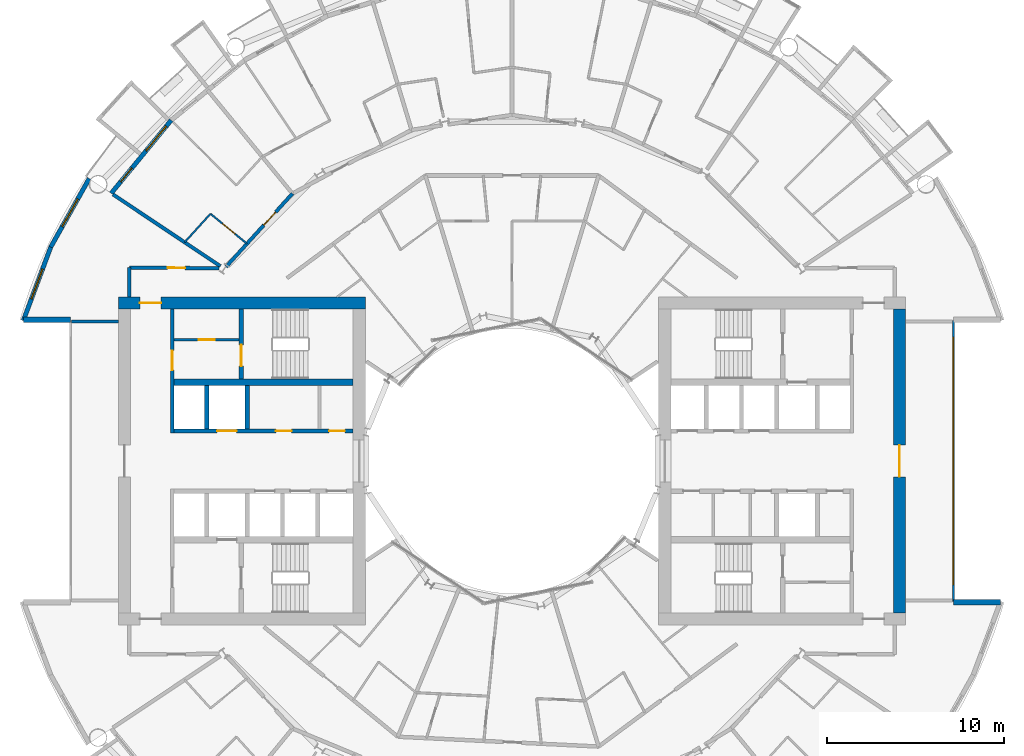
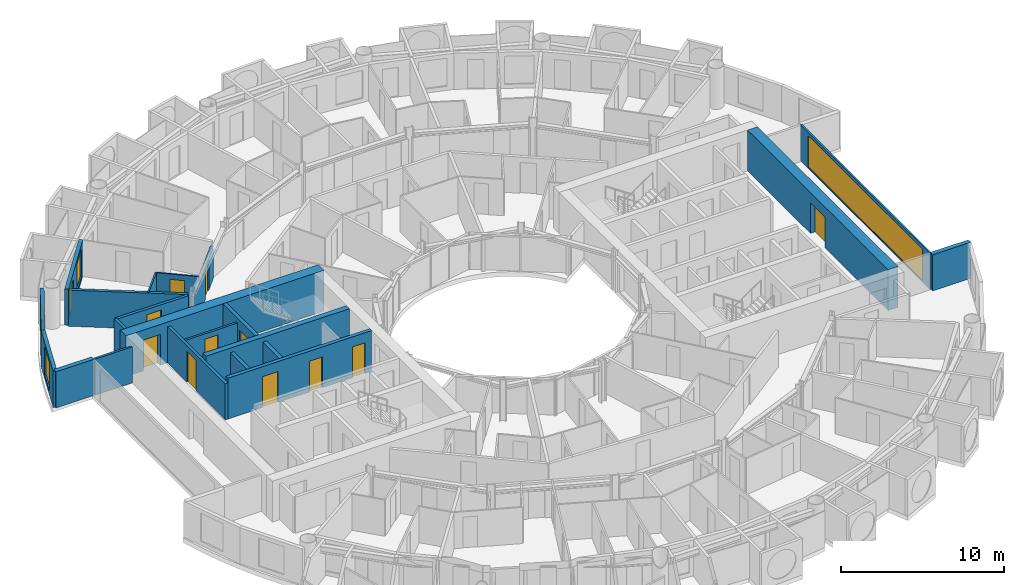
# One storey, part 18 of 26: 22 walls, 12 doors, 4 windows, 16 openings.
"""IFC4 building model written with IfcOpenShell, lengths in metres."""

from ifc_helpers import new_model, si_unit, direction, frame, frame_2d, origin, place, context, subcontext, project, spatial, rectangle, extrude, material, layer, layer_set, type_object, element, fill, save


model = new_model("IFC4")

# Units and contexts
model_context = context("Model", 3, precision=1e-05, world=origin(), true_north=direction((0.0, 1.0)))
body_context = subcontext(model_context, "Body", "Model", "MODEL_VIEW")
ifc_project = project(units=[si_unit("LENGTHUNIT", "METRE"), si_unit("AREAUNIT", "SQUARE_METRE"), si_unit("VOLUMEUNIT", "CUBIC_METRE"), si_unit("PLANEANGLEUNIT", "RADIAN"), si_unit("MASSUNIT", "GRAM", prefix="KILO")], contexts=[model_context])

# Site, building, storey
site_placement = place(None, origin())
site = spatial("IfcSite", under=ifc_project, at=site_placement, CompositionType="ELEMENT")
building_placement = place(site_placement, origin())
building = spatial("IfcBuilding", under=site, at=building_placement, Name="Maasbend Ring Residences", CompositionType="ELEMENT")
storey_placement = place(building_placement, frame((0.0, 0.0, 78.85009765625)))
storey = spatial("IfcBuildingStorey", under=building, at=storey_placement, Name="L22", CompositionType="ELEMENT", Elevation=78.85009765625)

# Wall, openings, doors
ifc_material_1 = material(Name="Concrete C70/85", Category="concrete")
ifc_layer_1 = layer(ifc_material_1, 0.25)
ifc_layer_set_1 = layer_set([ifc_layer_1], Name="Concrete C70/85")
wall_type_1 = type_object("IfcWallType", Name="CORE WALL 250 C70/85", PredefinedType="SHEAR", material=ifc_layer_set_1)
wall_1_placement = place(storey_placement, frame((-19.14990234375, 1.699951171875, 0.0), z_axis=(0.0, 0.0, 1.0), x_axis=(1.0, 0.0, 0.0)))
wall_1 = element("IfcWall", 1, at=wall_1_placement, inside=storey, type_object=wall_type_1, Name="L22 core W wall SPS", PredefinedType="SHEAR", context=body_context, shape_type="SweptSolid", body=[
    extrude(rectangle(XDim=10.14990234375, YDim=0.25, at=frame_2d((5.074951171875, 0.0))), origin(), (0.0, 0.0, 1.0), 3.0498046875),
])
opening_1_placement = place(wall_1_placement, frame((2.449951171875, 0.0, 0.0)))
opening_1 = element("IfcOpeningElement", 2, at=opening_1_placement, cuts=wall_1, Name="Opening LD-W2205", PredefinedType="OPENING", context=body_context, shape_type="SweptSolid", body=[
    extrude(rectangle(XDim=1.10009765625, YDim=2.300048828125, at=frame_2d((0.550048828125, 1.14990234375))), frame((0.0, 0.135009765625, 0.0), z_axis=(0.0, -1.0, 0.0), x_axis=(1.0, 0.0, 0.0)), (0.0, 0.0, 1.0), 0.27001953125),
])
opening_2_placement = place(wall_1_placement, frame((8.78759765625, 0.0, 0.0)))
opening_2 = element("IfcOpeningElement", 3, at=opening_2_placement, cuts=wall_1, Name="Opening D-W2206", PredefinedType="OPENING", context=body_context, shape_type="SweptSolid", body=[
    extrude(rectangle(XDim=0.89990234375, YDim=2.300048828125, at=frame_2d((0.449951171875, 1.14990234375))), frame((0.0, 0.135009765625, 0.0), z_axis=(0.0, -1.0, 0.0), x_axis=(1.0, 0.0, 0.0)), (0.0, 0.0, 1.0), 0.27001953125),
])
opening_3_placement = place(wall_1_placement, frame((5.77490234375, 0.0, 0.0)))
opening_3 = element("IfcOpeningElement", 4, at=opening_3_placement, cuts=wall_1, Name="Opening D-W2207", PredefinedType="OPENING", context=body_context, shape_type="SweptSolid", body=[
    extrude(rectangle(XDim=0.89990234375, YDim=2.300048828125, at=frame_2d((0.449951171875, 1.14990234375))), frame((0.0, 0.135009765625, 0.0), z_axis=(0.0, -1.0, 0.0), x_axis=(1.0, 0.0, 0.0)), (0.0, 0.0, 1.0), 0.27001953125),
])
ifc_material_2 = material(Name="Stainless steel 316", Category="steel")
door_type_1 = type_object("IfcDoorType", Name="LANDING DOOR 1100 X 2300 FD60", OperationType="DOUBLE_DOOR_SLIDING", PredefinedType="DOOR", material=ifc_material_2)
door_1_placement = place(opening_1_placement, origin())
door_1 = element("IfcDoor", 5, at=door_1_placement, inside=storey, type_object=door_type_1, Name="Landing door SV-W L22", OperationType="DOUBLE_DOOR_SLIDING", OverallHeight=2.300048828125, OverallWidth=1.10009765625, PredefinedType="DOOR", context=body_context, shape_type="SweptSolid", body=[
    extrude(rectangle(XDim=1.10009765625, YDim=2.300048828125, at=frame_2d((0.550048828125, 1.14990234375))), frame((0.0, 0.02490234375, 0.0), z_axis=(0.0, -1.0, 0.0), x_axis=(1.0, 0.0, 0.0)), (0.0, 0.0, 1.0), 0.050048828125),
])
fill(opening_1, door_1)
ifc_material_3 = material(Name="Steel, powder coated", Category="steel")
door_type_2 = type_object("IfcDoorType", Name="ROOM DOOR 900 X 2300 FD30S", OperationType="NOTDEFINED", PredefinedType="DOOR", material=ifc_material_3)
door_2_placement = place(opening_2_placement, origin())
door_2 = element("IfcDoor", 6, at=door_2_placement, inside=storey, type_object=door_type_2, Name="Room door L22", OperationType="SINGLE_SWING_LEFT", OverallHeight=2.300048828125, OverallWidth=0.89990234375, PredefinedType="DOOR", context=body_context, shape_type="SweptSolid", body=[
    extrude(rectangle(XDim=0.89990234375, YDim=2.300048828125, at=frame_2d((0.449951171875, 1.14990234375))), frame((0.0, 0.02490234375, 0.0), z_axis=(0.0, -1.0, 0.0), x_axis=(1.0, 0.0, 0.0)), (0.0, 0.0, 1.0), 0.050048828125),
])
fill(opening_2, door_2)
door_3_placement = place(opening_3_placement, origin())
door_3 = element("IfcDoor", 7, at=door_3_placement, inside=storey, type_object=door_type_2, Name="Room door L22", OperationType="SINGLE_SWING_LEFT", OverallHeight=2.300048828125, OverallWidth=0.89990234375, PredefinedType="DOOR", context=body_context, shape_type="SweptSolid", body=[
    extrude(rectangle(XDim=0.89990234375, YDim=2.300048828125, at=frame_2d((0.449951171875, 1.14990234375))), frame((0.0, 0.02490234375, 0.0), z_axis=(0.0, -1.0, 0.0), x_axis=(1.0, 0.0, 0.0)), (0.0, 0.0, 1.0), 0.050048828125),
])
fill(opening_3, door_3)

# Wall, opening, door
wall_2_placement = place(storey_placement, frame((-15.324951171875, 8.60009765625, 0.0), z_axis=(0.0, 0.0, 1.0), x_axis=(0.0, -1.0, 0.0)))
wall_2 = element("IfcWall", 8, at=wall_2_placement, inside=storey, type_object=wall_type_1, Name="L22 core W wall STES", PredefinedType="SHEAR", context=body_context, shape_type="SweptSolid", body=[
    extrude(rectangle(XDim=3.9501953125, YDim=0.25, at=frame_2d((1.97509765625, 0.0))), origin(), (0.0, 0.0, 1.0), 3.0498046875),
])
opening_4_placement = place(wall_2_placement, frame((2.02490234375, 0.0, 0.0)))
opening_4 = element("IfcOpeningElement", 9, at=opening_4_placement, cuts=wall_2, Name="Opening D-W2210", PredefinedType="OPENING", context=body_context, shape_type="SweptSolid", body=[
    extrude(rectangle(XDim=1.199951171875, YDim=2.300048828125, at=frame_2d((0.60009765625, 1.14990234375))), frame((0.0, 0.135009765625, 0.0), z_axis=(0.0, -1.0, 0.0), x_axis=(1.0, 0.0, 0.0)), (0.0, 0.0, 1.0), 0.27001953125),
])
ifc_material_4 = material(Name="Steel, powder coated", Category="steel")
door_type_3 = type_object("IfcDoorType", Name="STAIR DOOR 1200 X 2300 FD60", OperationType="NOTDEFINED", PredefinedType="DOOR", material=ifc_material_4)
door_4_placement = place(opening_4_placement, origin())
door_4 = element("IfcDoor", 10, at=door_4_placement, inside=storey, type_object=door_type_3, Name="Stair door ST-W L22", OperationType="SINGLE_SWING_LEFT", OverallHeight=2.300048828125, OverallWidth=1.199951171875, PredefinedType="DOOR", context=body_context, shape_type="SweptSolid", body=[
    extrude(rectangle(XDim=1.199951171875, YDim=2.300048828125, at=frame_2d((0.60009765625, 1.14990234375))), frame((0.0, 0.02490234375, 0.0), z_axis=(0.0, -1.0, 0.0), x_axis=(1.0, 0.0, 0.0)), (0.0, 0.0, 1.0), 0.050048828125),
])
fill(opening_4, door_4)

# Wall
ifc_material_5 = material(Name="Concrete C70/85", Category="concrete")
ifc_layer_2 = layer(ifc_material_5, 0.375)
ifc_layer_set_2 = layer_set([ifc_layer_2], Name="Concrete C70/85")
wall_type_2 = type_object("IfcWallType", Name="CORE WALL 375 C70/85", PredefinedType="SHEAR", material=ifc_layer_set_2)
wall_3_placement = place(storey_placement, frame((-9.0, 4.46240234375, 0.0), z_axis=(0.0, 0.0, 1.0), x_axis=(-1.0, 0.0, 0.0)))
element("IfcWall", 11, at=wall_3_placement, inside=storey, type_object=wall_type_2, Name="L22 core W wall BS", PredefinedType="SHEAR", context=body_context, shape_type="SweptSolid", body=[
    extrude(rectangle(XDim=10.14990234375, YDim=0.375, at=frame_2d((5.074951171875, 0.0))), origin(), (0.0, 0.0, 1.0), 3.0498046875),
])

# Wall, opening, door
ifc_material_6 = material(Name="Concrete C70/85", Category="concrete")
ifc_layer_3 = layer(ifc_material_6, 0.699951171875)
ifc_layer_set_3 = layer_set([ifc_layer_3], Name="Concrete C70/85")
wall_type_3 = type_object("IfcWallType", Name="CORE WALL 700 C70/85", PredefinedType="SHEAR", material=ifc_layer_set_3)
wall_4_placement = place(storey_placement, frame((21.949951171875, 8.60009765625, 0.0), z_axis=(0.0, 0.0, 1.0), x_axis=(0.0, -1.0, 0.0)))
wall_4 = element("IfcWall", 12, at=wall_4_placement, inside=storey, type_object=wall_type_3, Name="L22 core E wall POUT", PredefinedType="SHEAR", context=body_context, shape_type="SweptSolid", body=[
    extrude(rectangle(XDim=17.2001953125, YDim=0.699951171875, at=frame_2d((8.60009765625, 0.0))), origin(), (0.0, 0.0, 1.0), 3.0498046875),
])
opening_5_placement = place(wall_4_placement, frame((7.699951171875, 0.0, 0.0)))
opening_5 = element("IfcOpeningElement", 13, at=opening_5_placement, cuts=wall_4, Name="Opening D-E2217", PredefinedType="OPENING", context=body_context, shape_type="SweptSolid", body=[
    extrude(rectangle(XDim=1.800048828125, YDim=2.300048828125, at=frame_2d((0.89990234375, 1.14990234375))), frame((0.0, 0.35986328125, 0.0), z_axis=(0.0, -1.0, 0.0), x_axis=(1.0, 0.0, 0.0)), (0.0, 0.0, 1.0), 0.719970703125),
])
ifc_material_7 = material(Name="Aluminium frame, clear glass", Category="aluminium")
door_type_4 = type_object("IfcDoorType", Name="ENTRANCE DOOR 1800 X 2300 FD60", OperationType="NOTDEFINED", PredefinedType="DOOR", material=ifc_material_7)
door_5_placement = place(opening_5_placement, origin())
door_5 = element("IfcDoor", 14, at=door_5_placement, inside=storey, type_object=door_type_4, Name="Lobby glazed door L22", OperationType="SINGLE_SWING_LEFT", OverallHeight=2.300048828125, OverallWidth=1.800048828125, PredefinedType="DOOR", context=body_context, shape_type="SweptSolid", body=[
    extrude(rectangle(XDim=1.800048828125, YDim=2.300048828125, at=frame_2d((0.89990234375, 1.14990234375))), frame((0.0, 0.02490234375, 0.0), z_axis=(0.0, -1.0, 0.0), x_axis=(1.0, 0.0, 0.0)), (0.0, 0.0, 1.0), 0.050048828125),
])
fill(opening_5, door_5)

wall_5_placement = place(storey_placement, frame((-8.300048828125, 8.949951171875, 0.0), z_axis=(0.0, 0.0, 1.0), x_axis=(-1.0, 0.0, 0.0)))
wall_5 = element("IfcWall", 15, at=wall_5_placement, inside=storey, type_object=wall_type_3, Name="L22 core W wall PS", PredefinedType="SHEAR", context=body_context, shape_type="SweptSolid", body=[
    extrude(rectangle(XDim=14.0, YDim=0.699951171875, at=frame_2d((7.0, 0.0))), origin(), (0.0, 0.0, 1.0), 3.0498046875),
])
opening_6_placement = place(wall_5_placement, frame((11.574951171875, 0.0, 0.0)))
opening_6 = element("IfcOpeningElement", 16, at=opening_6_placement, cuts=wall_5, Name="Opening D-W2214", PredefinedType="OPENING", context=body_context, shape_type="SweptSolid", body=[
    extrude(rectangle(XDim=1.199951171875, YDim=2.300048828125, at=frame_2d((0.60009765625, 1.14990234375))), frame((0.0, 0.35986328125, 0.0), z_axis=(0.0, -1.0, 0.0), x_axis=(1.0, 0.0, 0.0)), (0.0, 0.0, 1.0), 0.719970703125),
])
ifc_material_8 = material(Name="Steel, powder coated", Category="steel")
door_type_5 = type_object("IfcDoorType", Name="CORRIDOR DOOR 1200 X 2300 FD30S", OperationType="NOTDEFINED", PredefinedType="DOOR", material=ifc_material_8)
door_6_placement = place(opening_6_placement, origin())
door_6 = element("IfcDoor", 17, at=door_6_placement, inside=storey, type_object=door_type_5, Name="Corridor door L22", OperationType="SINGLE_SWING_LEFT", OverallHeight=2.300048828125, OverallWidth=1.199951171875, PredefinedType="DOOR", context=body_context, shape_type="SweptSolid", body=[
    extrude(rectangle(XDim=1.199951171875, YDim=2.300048828125, at=frame_2d((0.60009765625, 1.14990234375))), frame((0.0, 0.02490234375, 0.0), z_axis=(0.0, -1.0, 0.0), x_axis=(1.0, 0.0, 0.0)), (0.0, 0.0, 1.0), 0.050048828125),
])
fill(opening_6, door_6)

ifc_material_9 = material(Name="Concrete C30/37", Category="concrete")
ifc_layer_4 = layer(ifc_material_9, 0.199951171875)
ifc_layer_set_4 = layer_set([ifc_layer_4], Name="Concrete C30/37")
wall_type_4 = type_object("IfcWallType", Name="CORRIDOR WALL 200 CONCRETE", PredefinedType="PARTITIONING", material=ifc_layer_set_4)
wall_6_placement = place(storey_placement, frame((-21.675048828125, 10.949951171875, 0.0), z_axis=(0.0, 0.0, 1.0), x_axis=(0.999987054722, -0.005088259783, 0.0)))
wall_6 = element("IfcWall", 18, at=wall_6_placement, inside=storey, type_object=wall_type_4, Name="U-L22-w096", PredefinedType="PARTITIONING", context=body_context, shape_type="SweptSolid", body=[
    extrude(rectangle(XDim=5.0859375, YDim=0.199951171875, at=frame_2d((2.54296875, 0.0))), origin(), (0.0, 0.0, 1.0), 2.699951171875),
])
opening_7_placement = place(wall_6_placement, frame((2.1630859375, 0.0, 0.0)))
opening_7 = element("IfcOpeningElement", 19, at=opening_7_placement, cuts=wall_6, Name="Opening D-2269", PredefinedType="OPENING", context=body_context, shape_type="SweptSolid", body=[
    extrude(rectangle(XDim=1.0, YDim=2.300048828125, at=frame_2d((0.5, 1.14990234375))), frame((0.0, 0.10986328125, 0.0), z_axis=(0.0, -1.0, 0.0), x_axis=(1.0, 0.0, 0.0)), (0.0, 0.0, 1.0), 0.219970703125),
])
ifc_material_10 = material(Name="Timber, painted", Category="wood")
door_type_6 = type_object("IfcDoorType", Name="ROOM DOOR 1000 X 2300", OperationType="NOTDEFINED", PredefinedType="DOOR", material=ifc_material_10)
door_7_placement = place(opening_7_placement, origin())
door_7 = element("IfcDoor", 20, at=door_7_placement, inside=storey, type_object=door_type_6, Name="D-2269", OperationType="SINGLE_SWING_RIGHT", OverallHeight=2.300048828125, OverallWidth=1.0, PredefinedType="DOOR", context=body_context, shape_type="SweptSolid", body=[
    extrude(rectangle(XDim=1.0, YDim=2.300048828125, at=frame_2d((0.5, 1.14990234375))), frame((0.0, 0.02490234375, 0.0), z_axis=(0.0, -1.0, 0.0), x_axis=(1.0, 0.0, 0.0)), (0.0, 0.0, 1.0), 0.050048828125),
])
fill(opening_7, door_7)

wall_7_placement = place(storey_placement, frame((-16.193115234375, 11.00390625, 0.0), z_axis=(0.0, 0.0, 1.0), x_axis=(0.671601747072, 0.740912338492, 0.0)))
wall_7 = element("IfcWall", 21, at=wall_7_placement, inside=storey, type_object=wall_type_4, Name="U-L22-w109", PredefinedType="PARTITIONING", context=body_context, shape_type="SweptSolid", body=[
    extrude(rectangle(XDim=5.59716796875, YDim=0.199951171875, at=frame_2d((2.798583984375, 0.0))), origin(), (0.0, 0.0, 1.0), 2.3798828125),
])
opening_8_placement = place(wall_7_placement, frame((3.179931640625, 0.0, 0.0)))
opening_8 = element("IfcOpeningElement", 22, at=opening_8_placement, cuts=wall_7, Name="Opening D-2218", PredefinedType="OPENING", context=body_context, shape_type="SweptSolid", body=[
    extrude(rectangle(XDim=1.0, YDim=2.300048828125, at=frame_2d((0.5, 1.14990234375))), frame((0.0, 0.10986328125, 0.0), z_axis=(0.0, -1.0, 0.0), x_axis=(1.0, 0.0, 0.0)), (0.0, 0.0, 1.0), 0.219970703125),
])
ifc_material_11 = material(Name="Timber, fire-rated, painted", Category="wood")
door_type_7 = type_object("IfcDoorType", Name="FLAT ENTRANCE DOOR 1000 X 2300 FIRE-RATED", OperationType="NOTDEFINED", PredefinedType="DOOR", material=ifc_material_11)
door_8_placement = place(opening_8_placement, origin())
door_8 = element("IfcDoor", 23, at=door_8_placement, inside=storey, type_object=door_type_7, Name="D-2218", OperationType="SINGLE_SWING_RIGHT", OverallHeight=2.300048828125, OverallWidth=1.0, PredefinedType="DOOR", context=body_context, shape_type="SweptSolid", body=[
    extrude(rectangle(XDim=1.0, YDim=2.300048828125, at=frame_2d((0.5, 1.14990234375))), frame((0.0, 0.02490234375, 0.0), z_axis=(0.0, -1.0, 0.0), x_axis=(1.0, 0.0, 0.0)), (0.0, 0.0, 1.0), 0.050048828125),
])
fill(opening_8, door_8)

# Wall
wall_8_placement = place(storey_placement, frame((-21.675048828125, 9.300048828125, 0.0), z_axis=(0.0, 0.0, 1.0), x_axis=(0.0, 1.0, 0.0)))
element("IfcWall", 24, at=wall_8_placement, inside=storey, type_object=wall_type_4, Name="U-L22-w116", PredefinedType="PARTITIONING", context=body_context, shape_type="SweptSolid", body=[
    extrude(rectangle(XDim=1.64990234375, YDim=0.199951171875, at=frame_2d((0.824951171875, 0.0))), origin(), (0.0, 0.0, 1.0), 2.699951171875),
])

# Wall, openings, door, window
ifc_material_12 = material(Name="Aluminium clad insulated panel", Category="aluminium")
ifc_layer_5 = layer(ifc_material_12, 0.25)
ifc_layer_set_5 = layer_set([ifc_layer_5], Name="EW-GL")
wall_type_5 = type_object("IfcWallType", Name="EW-GL", PredefinedType="SOLIDWALL", material=ifc_layer_set_5)
wall_9_placement = place(storey_placement, frame((-19.303955078125, 19.303955078125, 0.0), z_axis=(0.0, 0.0, 1.0), x_axis=(-0.634382322723, -0.773019449054, 0.0)))
wall_9 = element("IfcWall", 25, at=wall_9_placement, inside=storey, type_object=wall_type_5, Name="External wall N10", PredefinedType="SOLIDWALL", context=body_context, shape_type="SweptSolid", body=[
    extrude(rectangle(XDim=5.351806640625, YDim=0.25, at=frame_2d((2.67578125, 0.0))), origin(), (0.0, 0.0, 1.0), 2.699951171875),
])
opening_9_placement = place(wall_9_placement, frame((0.441162109375, 0.0, 0.300048828125)))
opening_9 = element("IfcOpeningElement", 26, at=opening_9_placement, cuts=wall_9, Name="Opening W-BX", PredefinedType="OPENING", context=body_context, shape_type="SweptSolid", body=[
    extrude(rectangle(XDim=1.800048828125, YDim=2.10009765625, at=frame_2d((0.89990234375, 1.050048828125))), frame((0.0, 0.135009765625, 0.0), z_axis=(0.0, -1.0, 0.0), x_axis=(1.0, 0.0, 0.0)), (0.0, 0.0, 1.0), 0.27001953125),
])
opening_10_placement = place(wall_9_placement, frame((3.510498046875, 0.0, 0.0)))
opening_10 = element("IfcOpeningElement", 27, at=opening_10_placement, cuts=wall_9, Name="Opening D-LG", PredefinedType="OPENING", context=body_context, shape_type="SweptSolid", body=[
    extrude(rectangle(XDim=1.0, YDim=2.199951171875, at=frame_2d((0.5, 1.10009765625))), frame((0.0, 0.135009765625, 0.0), z_axis=(0.0, -1.0, 0.0), x_axis=(1.0, 0.0, 0.0)), (0.0, 0.0, 1.0), 0.27001953125),
])
ifc_material_13 = material(Name="Aluminium and clear glass", Category="aluminium")
door_type_8 = type_object("IfcDoorType", Name="D-LG", OperationType="SINGLE_SWING_LEFT", PredefinedType="DOOR", material=ifc_material_13)
door_9_placement = place(opening_10_placement, origin())
door_9 = element("IfcDoor", 28, at=door_9_placement, inside=storey, type_object=door_type_8, Name="Loggia door N20", OperationType="SINGLE_SWING_LEFT", OverallHeight=2.199951171875, OverallWidth=1.0, PredefinedType="DOOR", context=body_context, shape_type="SweptSolid", body=[
    extrude(rectangle(XDim=1.0, YDim=2.199951171875, at=frame_2d((0.5, 1.10009765625))), frame((0.0, 0.02490234375, 0.0), z_axis=(0.0, -1.0, 0.0), x_axis=(1.0, 0.0, 0.0)), (0.0, 0.0, 1.0), 0.050048828125),
])
fill(opening_10, door_9)
ifc_material_14 = material(Name="Aluminium and clear glass", Category="aluminium")
window_type_1 = type_object("IfcWindowType", Name="W-BX", PartitioningType="DOUBLE_PANEL_VERTICAL", PredefinedType="WINDOW", material=ifc_material_14)
window_1_placement = place(opening_9_placement, origin())
window_1 = element("IfcWindow", 29, at=window_1_placement, inside=storey, type_object=window_type_1, Name="Window N19 room to box", OverallHeight=2.10009765625, OverallWidth=1.800048828125, PartitioningType="SINGLE_PANEL", PredefinedType="WINDOW", context=body_context, shape_type="SweptSolid", body=[
    extrude(rectangle(XDim=1.800048828125, YDim=2.10009765625, at=frame_2d((0.89990234375, 1.050048828125))), frame((0.0, 0.030029296875, 0.0), z_axis=(0.0, -1.0, 0.0), x_axis=(1.0, 0.0, 0.0)), (0.0, 0.0, 1.0), 0.06005859375),
])
fill(opening_9, window_1)

# Wall, opening, window
ifc_material_15 = material(Name="Aluminium clad insulated panel", Category="aluminium")
ifc_layer_6 = layer(ifc_material_15, 0.25)
ifc_layer_set_6 = layer_set([ifc_layer_6], Name="EW-HORN")
wall_type_6 = type_object("IfcWallType", Name="EW-HORN", PredefinedType="SOLIDWALL", material=ifc_layer_set_6)
wall_10_placement = place(storey_placement, frame((-23.946044921875, 16.0, 0.0), z_axis=(0.0, 0.0, 1.0), x_axis=(-0.489696356642, -0.871893042919, 0.0)))
wall_10 = element("IfcWall", 30, at=wall_10_placement, inside=storey, type_object=wall_type_6, Name="Horn wall 4.1", PredefinedType="SOLIDWALL", context=body_context, shape_type="SweptSolid", body=[
    extrude(rectangle(XDim=4.45361328125, YDim=0.25, at=frame_2d((2.226806640625, 0.0))), origin(), (0.0, 0.0, 1.0), 2.699951171875),
])
opening_11_placement = place(wall_10_placement, frame((1.32666015625, 0.0, 0.300048828125)))
opening_11 = element("IfcOpeningElement", 31, at=opening_11_placement, cuts=wall_10, Name="Opening W-BX", PredefinedType="OPENING", context=body_context, shape_type="SweptSolid", body=[
    extrude(rectangle(XDim=1.800048828125, YDim=2.10009765625, at=frame_2d((0.89990234375, 1.050048828125))), frame((0.0, 0.135009765625, 0.0), z_axis=(0.0, -1.0, 0.0), x_axis=(1.0, 0.0, 0.0)), (0.0, 0.0, 1.0), 0.27001953125),
])
window_2_placement = place(opening_11_placement, origin())
window_2 = element("IfcWindow", 32, at=window_2_placement, inside=storey, type_object=window_type_1, Name="Horn window 4.1", OverallHeight=2.10009765625, OverallWidth=1.800048828125, PartitioningType="SINGLE_PANEL", PredefinedType="WINDOW", context=body_context, shape_type="SweptSolid", body=[
    extrude(rectangle(XDim=1.800048828125, YDim=2.10009765625, at=frame_2d((0.89990234375, 1.050048828125))), frame((0.0, 0.030029296875, 0.0), z_axis=(0.0, -1.0, 0.0), x_axis=(1.0, 0.0, 0.0)), (0.0, 0.0, 1.0), 0.06005859375),
])
fill(opening_11, window_2)

wall_11_placement = place(storey_placement, frame((-26.126953125, 12.116943359375, 0.0), z_axis=(0.0, 0.0, 1.0), x_axis=(-0.349247811493, -0.937030397675, 0.0)))
wall_11 = element("IfcWall", 33, at=wall_11_placement, inside=storey, type_object=wall_type_6, Name="Horn wall 4.2", PredefinedType="SOLIDWALL", context=body_context, shape_type="SweptSolid", body=[
    extrude(rectangle(XDim=4.4521484375, YDim=0.25, at=frame_2d((2.22607421875, 0.0))), origin(), (0.0, 0.0, 1.0), 2.699951171875),
])
opening_12_placement = place(wall_11_placement, frame((1.32666015625, 0.0, 0.300048828125)))
opening_12 = element("IfcOpeningElement", 34, at=opening_12_placement, cuts=wall_11, Name="Opening W-BX", PredefinedType="OPENING", context=body_context, shape_type="SweptSolid", body=[
    extrude(rectangle(XDim=1.800048828125, YDim=2.10009765625, at=frame_2d((0.89990234375, 1.050048828125))), frame((0.0, 0.135009765625, 0.0), z_axis=(0.0, -1.0, 0.0), x_axis=(1.0, 0.0, 0.0)), (0.0, 0.0, 1.0), 0.27001953125),
])
window_3_placement = place(opening_12_placement, origin())
window_3 = element("IfcWindow", 35, at=window_3_placement, inside=storey, type_object=window_type_1, Name="Horn window 4.2", OverallHeight=2.10009765625, OverallWidth=1.800048828125, PartitioningType="SINGLE_PANEL", PredefinedType="WINDOW", context=body_context, shape_type="SweptSolid", body=[
    extrude(rectangle(XDim=1.800048828125, YDim=2.10009765625, at=frame_2d((0.89990234375, 1.050048828125))), frame((0.0, 0.030029296875, 0.0), z_axis=(0.0, -1.0, 0.0), x_axis=(1.0, 0.0, 0.0)), (0.0, 0.0, 1.0), 0.06005859375),
])
fill(opening_12, window_3)

# Walls
ifc_material_16 = material(Name="Aluminium clad insulated panel", Category="aluminium")
ifc_layer_7 = layer(ifc_material_16, 0.300048828125)
ifc_layer_set_7 = layer_set([ifc_layer_7], Name="EW-RET")
wall_type_7 = type_object("IfcWallType", Name="EW-RET", PredefinedType="SOLIDWALL", material=ifc_layer_set_7)
for number, where, z_axis, x_axis, name in (
    (36, (25.0, -8.0, 0.0), (0.0, 0.0, 1.0), (1.0, 0.0, 0.0), "Notch return wall east south"),
    (37, (-25.0, 8.0, 0.0), (0.0, 0.0, 1.0), (-1.0, 0.0, 0.0), "Notch return wall west north"),
):
    element("IfcWall", number, at=place(storey_placement, frame(where, z_axis=z_axis, x_axis=x_axis)), inside=storey, type_object=wall_type_7, Name=name, PredefinedType="SOLIDWALL", context=body_context, shape_type="SweptSolid", body=[
        extrude(rectangle(XDim=2.6669921875, YDim=0.300048828125, at=frame_2d((1.33349609375, 0.0))), origin(), (0.0, 0.0, 1.0), 2.699951171875),
    ])

# Wall, opening, window
ifc_material_17 = material(Name="Aluminium frame and clear glass", Category="aluminium")
ifc_layer_8 = layer(ifc_material_17, 0.1201171875)
ifc_layer_set_8 = layer_set([ifc_layer_8], Name="GLAZED SCREEN WALL 120 EI 60")
wall_type_8 = type_object("IfcWallType", Name="GLAZED SCREEN WALL 120 EI 60", PredefinedType="PARTITIONING", material=ifc_layer_set_8)
wall_12_placement = place(storey_placement, frame((25.0, -7.949951171875, 0.0), z_axis=(0.0, 0.0, 1.0), x_axis=(0.0, 1.0, 0.0)))
wall_12 = element("IfcWall", 38, at=wall_12_placement, inside=storey, type_object=wall_type_8, Name="L22 core E wall FACE", PredefinedType="PARTITIONING", context=body_context, shape_type="SweptSolid", body=[
    extrude(rectangle(XDim=15.89990234375, YDim=0.1201171875, at=frame_2d((7.949951171875, 0.0))), origin(), (0.0, 0.0, 1.0), 2.699951171875),
])
opening_13_placement = place(wall_12_placement, frame((0.949951171875, 0.0, 0.10009765625)))
opening_13 = element("IfcOpeningElement", 39, at=opening_13_placement, cuts=wall_12, Name="Opening W-E2202", PredefinedType="OPENING", context=body_context, shape_type="SweptSolid", body=[
    extrude(rectangle(XDim=14.0, YDim=2.35009765625, at=frame_2d((7.0, 1.175048828125))), frame((0.0, 0.070068359375, 0.0), z_axis=(0.0, -1.0, 0.0), x_axis=(1.0, 0.0, 0.0)), (0.0, 0.0, 1.0), 0.14013671875),
])
ifc_material_18 = material(Name="Aluminium frame and clear glass", Category="aluminium")
window_type_2 = type_object("IfcWindowType", Name="FIXED WINDOW 14000 X 2350", PartitioningType="SINGLE_PANEL", PredefinedType="WINDOW", material=ifc_material_18)
window_4_placement = place(opening_13_placement, origin())
window_4 = element("IfcWindow", 40, at=window_4_placement, inside=storey, type_object=window_type_2, Name="Lobby window L22", OverallHeight=2.35009765625, OverallWidth=14.0, PartitioningType="SINGLE_PANEL", PredefinedType="WINDOW", context=body_context, shape_type="SweptSolid", body=[
    extrude(rectangle(XDim=14.0, YDim=2.35009765625, at=frame_2d((7.0, 1.175048828125))), frame((0.0, 0.030029296875, 0.0), z_axis=(0.0, -1.0, 0.0), x_axis=(1.0, 0.0, 0.0)), (0.0, 0.0, 1.0), 0.06005859375),
])
fill(opening_13, window_4)

# Wall, opening, door
ifc_material_19 = material(Name="Gypsum board on steel studs", Category="steel")
ifc_layer_9 = layer(ifc_material_19, 0.10009765625)
ifc_layer_set_9 = layer_set([ifc_layer_9], Name="PARTITION 100 GYPSUM")
wall_type_9 = type_object("IfcWallType", Name="PARTITION 100 GYPSUM", PredefinedType="PARTITIONING", material=ifc_layer_set_9)
wall_13_placement = place(storey_placement, frame((-17.077880859375, 14.0048828125, 0.0), z_axis=(0.0, 0.0, 1.0), x_axis=(0.773240932873, -0.634112339992, 0.0)))
wall_13 = element("IfcWall", 41, at=wall_13_placement, inside=storey, type_object=wall_type_9, Name="U-L22-w042", PredefinedType="PARTITIONING", context=body_context, shape_type="SweptSolid", body=[
    extrude(rectangle(XDim=2.67431640625, YDim=0.10009765625, at=frame_2d((1.337158203125, 0.0))), origin(), (0.0, 0.0, 1.0), 2.699951171875),
])
opening_14_placement = place(wall_13_placement, frame((0.886962890625, 0.0, 0.0)))
opening_14 = element("IfcOpeningElement", 42, at=opening_14_placement, cuts=wall_13, Name="Opening D-2219", PredefinedType="OPENING", context=body_context, shape_type="SweptSolid", body=[
    extrude(rectangle(XDim=0.89990234375, YDim=2.300048828125, at=frame_2d((0.449951171875, 1.14990234375))), frame((0.0, 0.06005859375, 0.0), z_axis=(0.0, -1.0, 0.0), x_axis=(1.0, 0.0, 0.0)), (0.0, 0.0, 1.0), 0.1201171875),
])
ifc_material_20 = material(Name="Timber, painted", Category="wood")
door_type_9 = type_object("IfcDoorType", Name="INTERNAL DOOR 900 X 2300", OperationType="NOTDEFINED", PredefinedType="DOOR", material=ifc_material_20)
door_10_placement = place(opening_14_placement, origin())
door_10 = element("IfcDoor", 43, at=door_10_placement, inside=storey, type_object=door_type_9, Name="D-2219", OperationType="SINGLE_SWING_RIGHT", OverallHeight=2.300048828125, OverallWidth=0.89990234375, PredefinedType="DOOR", context=body_context, shape_type="SweptSolid", body=[
    extrude(rectangle(XDim=0.89990234375, YDim=2.300048828125, at=frame_2d((0.449951171875, 1.14990234375))), frame((0.0, 0.02490234375, 0.0), z_axis=(0.0, -1.0, 0.0), x_axis=(1.0, 0.0, 0.0)), (0.0, 0.0, 1.0), 0.050048828125),
])
fill(opening_14, door_10)

# Wall
wall_14_placement = place(storey_placement, frame((-18.5380859375, 12.39404296875, 0.0), z_axis=(0.0, 0.0, 1.0), x_axis=(0.67169789574, 0.740825172937, 0.0)))
element("IfcWall", 44, at=wall_14_placement, inside=storey, type_object=wall_type_9, Name="U-L22-w121", PredefinedType="PARTITIONING", context=body_context, shape_type="SweptSolid", body=[
    extrude(rectangle(XDim=2.1826171875, YDim=0.10009765625, at=frame_2d((1.09130859375, 0.0))), origin(), (0.0, 0.0, 1.0), 2.699951171875),
])

# Wall, opening, door
ifc_material_21 = material(Name="Gypsum board on steel studs", Category="steel")
ifc_layer_10 = layer(ifc_material_21, 0.14990234375)
ifc_layer_set_10 = layer_set([ifc_layer_10], Name="PARTITION 150 EI 60")
wall_type_10 = type_object("IfcWallType", Name="PARTITION 150 EI 60", PredefinedType="PARTITIONING", material=ifc_layer_set_10)
wall_15_placement = place(storey_placement, frame((-15.449951171875, 6.875, 0.0), z_axis=(0.0, 0.0, 1.0), x_axis=(-1.0, 0.0, 0.0)))
wall_15 = element("IfcWall", 45, at=wall_15_placement, inside=storey, type_object=wall_type_10, Name="L22 core W wall RHS", PredefinedType="PARTITIONING", context=body_context, shape_type="SweptSolid", body=[
    extrude(rectangle(XDim=3.699951171875, YDim=0.14990234375, at=frame_2d((1.85009765625, 0.0))), origin(), (0.0, 0.0, 1.0), 2.699951171875),
])
opening_15_placement = place(wall_15_placement, frame((1.39990234375, 0.0, 0.0)))
opening_15 = element("IfcOpeningElement", 46, at=opening_15_placement, cuts=wall_15, Name="Opening D-W2208", PredefinedType="OPENING", context=body_context, shape_type="SweptSolid", body=[
    extrude(rectangle(XDim=0.89990234375, YDim=2.300048828125, at=frame_2d((0.449951171875, 1.14990234375))), frame((0.0, 0.0849609375, 0.0), z_axis=(0.0, -1.0, 0.0), x_axis=(1.0, 0.0, 0.0)), (0.0, 0.0, 1.0), 0.169921875),
])
ifc_material_22 = material(Name="Steel, powder coated", Category="steel")
door_type_10 = type_object("IfcDoorType", Name="RISER DOOR 900 X 2300 FD60", OperationType="NOTDEFINED", PredefinedType="DOOR", material=ifc_material_22)
door_11_placement = place(opening_15_placement, origin())
door_11 = element("IfcDoor", 47, at=door_11_placement, inside=storey, type_object=door_type_10, Name="Riser door L22", OperationType="SINGLE_SWING_LEFT", OverallHeight=2.300048828125, OverallWidth=0.89990234375, PredefinedType="DOOR", context=body_context, shape_type="SweptSolid", body=[
    extrude(rectangle(XDim=0.89990234375, YDim=2.300048828125, at=frame_2d((0.449951171875, 1.14990234375))), frame((0.0, 0.02490234375, 0.0), z_axis=(0.0, -1.0, 0.0), x_axis=(1.0, 0.0, 0.0)), (0.0, 0.0, 1.0), 0.050048828125),
])
fill(opening_15, door_11)

# Walls
wall_16_placement = place(storey_placement, frame((-22.300048828125, 7.89990234375, 0.0), z_axis=(0.0, 0.0, 1.0), x_axis=(-1.0, 0.0, 0.0)))
element("IfcWall", 48, at=wall_16_placement, inside=storey, type_object=wall_type_10, Name="L22 core W wall CITS", PredefinedType="PARTITIONING", context=body_context, shape_type="SweptSolid", body=[
    extrude(rectangle(XDim=2.639892578125, YDim=0.14990234375, at=frame_2d((1.31982421875, 0.0))), origin(), (0.0, 0.0, 1.0), 2.699951171875),
])
ifc_material_23 = material(Name="Concrete C30/37", Category="concrete")
ifc_layer_11 = layer(ifc_material_23, 0.199951171875)
ifc_layer_set_11 = layer_set([ifc_layer_11], Name="Concrete C30/37")
wall_type_11 = type_object("IfcWallType", Name="PARTY WALL 200 CONCRETE", PredefinedType="PARTITIONING", material=ifc_layer_set_11)
wall_17_placement = place(storey_placement, frame((-22.594970703125, 15.097900390625, 0.0), z_axis=(0.0, 0.0, 1.0), x_axis=(0.831382022135, -0.555701298605, 0.0)))
element("IfcWall", 49, at=wall_17_placement, inside=storey, type_object=wall_type_11, Name="U-L22-w032", PredefinedType="PARTITIONING", context=body_context, shape_type="SweptSolid", body=[
    extrude(rectangle(XDim=7.313232421875, YDim=0.199951171875, at=frame_2d((3.65673828125, 0.0))), origin(), (0.0, 0.0, 1.0), 2.699951171875),
])

# Wall, opening, door
ifc_material_24 = material(Name="Concrete C30/37", Category="concrete")
ifc_layer_12 = layer(ifc_material_24, 0.199951171875)
ifc_layer_set_12 = layer_set([ifc_layer_12], Name="Concrete C30/37")
wall_type_12 = type_object("IfcWallType", Name="SHAFT WALL 200 EI 120", PredefinedType="SOLIDWALL", material=ifc_layer_set_12)
wall_18_placement = place(storey_placement, frame((-19.25, 8.60009765625, 0.0), z_axis=(0.0, 0.0, 1.0), x_axis=(0.0, -1.0, 0.0)))
wall_18 = element("IfcWall", 50, at=wall_18_placement, inside=storey, type_object=wall_type_12, Name="L22 core W wall ENDS", PredefinedType="SOLIDWALL", context=body_context, shape_type="SweptSolid", body=[
    extrude(rectangle(XDim=7.025146484375, YDim=0.199951171875, at=frame_2d((3.5126953125, 0.0))), origin(), (0.0, 0.0, 1.0), 2.699951171875),
])
opening_16_placement = place(wall_18_placement, frame((2.35009765625, 0.0, 0.0)))
opening_16 = element("IfcOpeningElement", 51, at=opening_16_placement, cuts=wall_18, Name="Opening D-W2212", PredefinedType="OPENING", context=body_context, shape_type="SweptSolid", body=[
    extrude(rectangle(XDim=1.10009765625, YDim=2.300048828125, at=frame_2d((0.550048828125, 1.14990234375))), frame((0.0, 0.10986328125, 0.0), z_axis=(0.0, -1.0, 0.0), x_axis=(1.0, 0.0, 0.0)), (0.0, 0.0, 1.0), 0.219970703125),
])
ifc_material_25 = material(Name="Steel, powder coated", Category="steel")
door_type_11 = type_object("IfcDoorType", Name="LOBBY DOOR 1100 X 2300 FD60", OperationType="NOTDEFINED", PredefinedType="DOOR", material=ifc_material_25)
door_12_placement = place(opening_16_placement, origin())
door_12 = element("IfcDoor", 52, at=door_12_placement, inside=storey, type_object=door_type_11, Name="Lobby door L22", OperationType="SINGLE_SWING_RIGHT", OverallHeight=2.300048828125, OverallWidth=1.10009765625, PredefinedType="DOOR", context=body_context, shape_type="SweptSolid", body=[
    extrude(rectangle(XDim=1.10009765625, YDim=2.300048828125, at=frame_2d((0.550048828125, 1.14990234375))), frame((0.0, 0.02490234375, 0.0), z_axis=(0.0, -1.0, 0.0), x_axis=(1.0, 0.0, 0.0)), (0.0, 0.0, 1.0), 0.050048828125),
])
fill(opening_16, door_12)

# Walls
ifc_material_26 = material(Name="Concrete C30/37", Category="concrete")
ifc_layer_13 = layer(ifc_material_26, 0.25)
ifc_layer_set_13 = layer_set([ifc_layer_13], Name="Concrete C30/37")
wall_type_13 = type_object("IfcWallType", Name="SHAFT WALL 250 EI 120", PredefinedType="SOLIDWALL", material=ifc_layer_set_13)
for number, where, z_axis, x_axis, name in (
    (53, (-15.0, 1.824951171875, 0.0), (0.0, 0.0, 1.0), (0.0, 1.0, 0.0), "L22 core W wall D150S"),
    (54, (-17.300048828125, 1.824951171875, 0.0), (0.0, 0.0, 1.0), (0.0, 1.0, 0.0), "L22 core W wall D173S"),
):
    element("IfcWall", number, at=place(storey_placement, frame(where, z_axis=z_axis, x_axis=x_axis)), inside=storey, type_object=wall_type_13, Name=name, PredefinedType="SOLIDWALL", context=body_context, shape_type="SweptSolid", body=[
        extrude(rectangle(XDim=2.449951171875, YDim=0.25, at=frame_2d((1.22509765625, 0.0))), origin(), (0.0, 0.0, 1.0), 2.699951171875),
    ])

save(model, "model.ifc")
